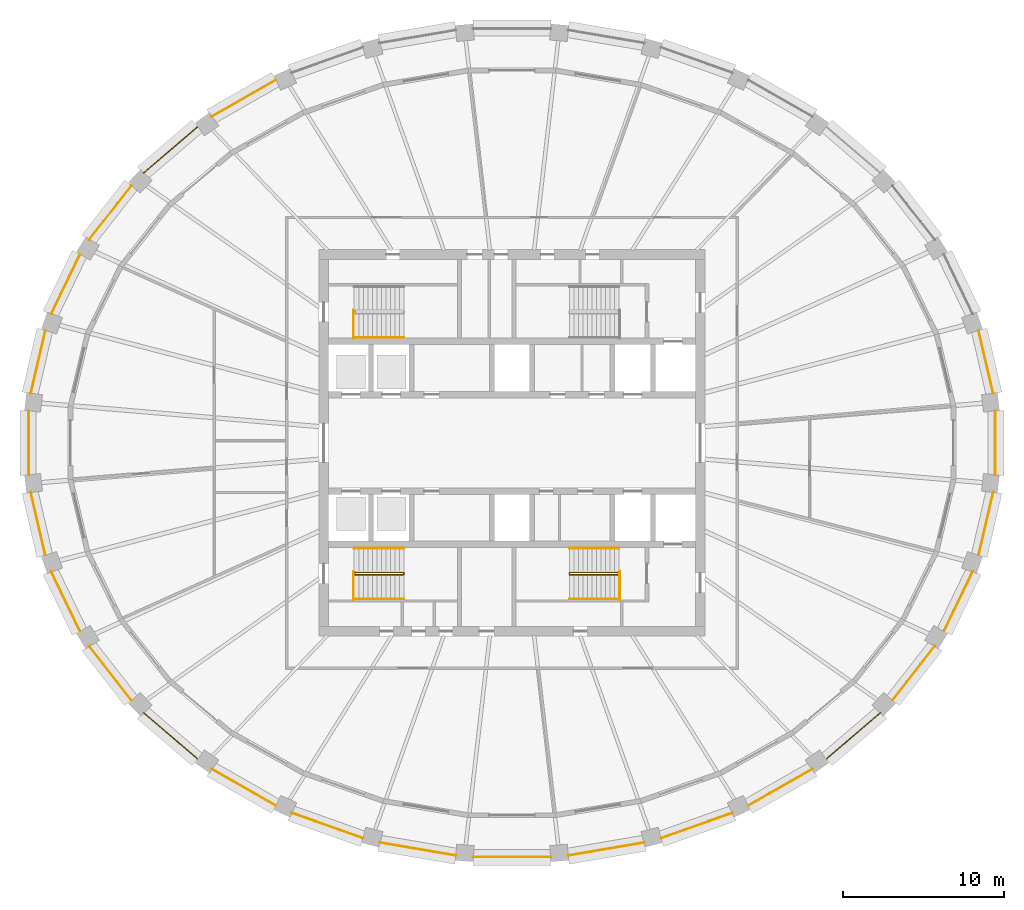
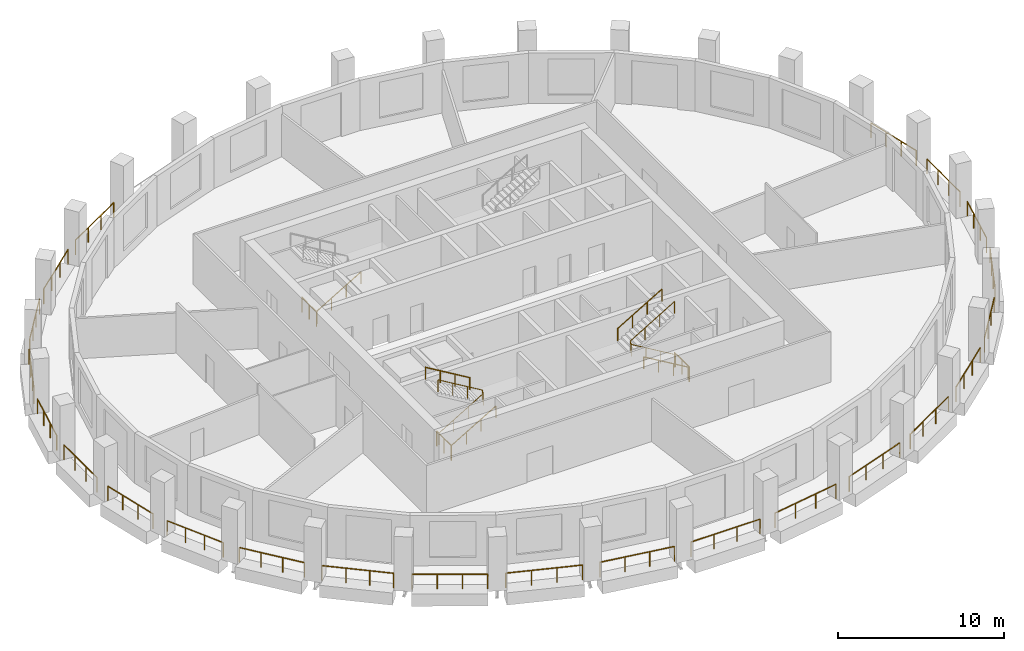
# One storey, part 8 of 10: 33 railings.
"""IFC4 building model written with IfcOpenShell, lengths in metres."""

import ifcopenshell
import ifcopenshell.guid

model = None  # the IFC model being written
_history = None  # IfcOwnerHistory: only IFC2X3 demands one
_inside = {}  # id of a spatial element -> (the spatial element, [elements in it])
_under = {}  # id of a project, library or spatial element -> (it, [spatial elements below it])
_declared = {}  # id of a project -> (the project, [libraries it declares])
_typed = {}  # id of a type object -> (the type object, [elements of that type])
_made_of = {}  # id of a material, layer set ... -> (it, [elements and type objects made of it])


def new_model(schema):
    """Start an empty IFC model of exactly this schema.

    Asked for "IFC4X3", IfcOpenShell would pick the latest addendum, in which some entities
    have other attributes; the version numbers below select the first issue.
    IFC2X3 requires an IfcOwnerHistory on every rooted entity: one is made here for all.
    """
    global model, _history
    if schema == "IFC4X3":
        model = ifcopenshell.file(schema_version=(4, 3, 0, 0))
    else:
        model = ifcopenshell.file(schema=schema)
    _inside.clear()
    _under.clear()
    _declared.clear()
    _typed.clear()
    _made_of.clear()
    _history = None
    if model.schema == "IFC2X3":
        org = make("IfcOrganization", Name="unknown")
        user = make(
            "IfcPersonAndOrganization",
            ThePerson=make("IfcPerson", FamilyName="unknown"),
            TheOrganization=org,
        )
        app = make(
            "IfcApplication",
            ApplicationDeveloper=org,
            Version="unknown",
            ApplicationFullName="unknown",
            ApplicationIdentifier="unknown",
        )
        _history = make(
            "IfcOwnerHistory",
            OwningUser=user,
            OwningApplication=app,
            ChangeAction="ADDED",
            CreationDate=0,
        )
    return model


def make(cls, **values):
    """One entity of the class cls with the attributes given. An attribute that is None is left unset."""
    return model.create_entity(
        cls, **{name: value for name, value in values.items() if value is not None}
    )


def rooted(cls, **values):
    """An entity with a GlobalId (a new one), such as an element, a storey or a relation."""
    return make(cls, GlobalId=ifcopenshell.guid.new(), OwnerHistory=_history, **values)


def si_unit(unit_type, name, prefix=None):
    """IfcSIUnit, for example si_unit("LENGTHUNIT", "METRE", prefix="MILLI")."""
    return make("IfcSIUnit", UnitType=unit_type, Prefix=prefix, Name=name)


def assignment(units):
    """IfcUnitAssignment: the units of a project."""
    return None if units is None else make("IfcUnitAssignment", Units=units)


def point(xyz):
    """IfcCartesianPoint."""
    return None if xyz is None else make("IfcCartesianPoint", Coordinates=xyz)


def direction(xyz):
    """IfcDirection."""
    return None if xyz is None else make("IfcDirection", DirectionRatios=xyz)


def frame(location, z_axis=None, x_axis=None):
    """IfcAxis2Placement3D, a coordinate frame: its origin and axes. An axis left out is left unset."""
    return make(
        "IfcAxis2Placement3D",
        Location=point(location),
        Axis=direction(z_axis),
        RefDirection=direction(x_axis),
    )


def frame_2d(location, x_axis=None):
    """IfcAxis2Placement2D, a coordinate frame in the plane: its origin and x axis."""
    return make(
        "IfcAxis2Placement2D", Location=point(location), RefDirection=direction(x_axis)
    )


def origin():
    """The frame at (0, 0, 0) with its axes left unset."""
    return frame((0.0, 0.0, 0.0))


def origin_2d():
    """The frame at (0, 0) in the plane with its x axis left unset."""
    return frame_2d((0.0, 0.0))


def place(relative_to, where):
    """IfcLocalPlacement: puts the frame where relative to a parent placement (None: the world)."""
    return make(
        "IfcLocalPlacement", PlacementRelTo=relative_to, RelativePlacement=where
    )


def context(
    kind, dimensions, precision=None, world=None, true_north=None, identifier=None
):
    """IfcGeometricRepresentationContext, for example the 3D "Model" context."""
    return make(
        "IfcGeometricRepresentationContext",
        ContextIdentifier=identifier,
        ContextType=kind,
        CoordinateSpaceDimension=dimensions,
        Precision=precision,
        WorldCoordinateSystem=world,
        TrueNorth=true_north,
    )


def subcontext(parent, identifier, kind, view, scale=None):
    """IfcGeometricRepresentationSubContext, for example "Body" below "Model"."""
    return make(
        "IfcGeometricRepresentationSubContext",
        ContextIdentifier=identifier,
        ContextType=kind,
        ParentContext=parent,
        TargetScale=scale,
        TargetView=view,
    )


def project(units=None, contexts=None):
    """IfcProject with its units and contexts."""
    return rooted(
        "IfcProject",
        Name="project",
        RepresentationContexts=contexts,
        UnitsInContext=assignment(units),
    )


def spatial(cls, under=None, at=None, **own):
    """A site, building, storey or space (cls), placed at a placement, below another one or the project."""
    s = rooted(cls, ObjectPlacement=at, **own)
    if under is not None:
        _under.setdefault(under.id(), (under, []))[1].append(s)
    return s


def profile(cls, at=None, kind="AREA", **sizes):
    """A parametric profile (cls). Its sizes go by their IFC names, for example OverallWidth=200.0."""
    return make(cls, ProfileType=kind, Position=at, **sizes)


def circle(**sizes):
    """IfcCircleProfileDef."""
    return profile("IfcCircleProfileDef", **sizes)


def extrude(swept, where, along, depth):
    """IfcExtrudedAreaSolid: the profile swept, set in the frame where, extruded along a direction by depth."""
    return make(
        "IfcExtrudedAreaSolid",
        SweptArea=swept,
        Position=where,
        ExtrudedDirection=direction(along),
        Depth=depth,
    )


def shape(context_of_items, identifier, shape_type, items):
    """IfcShapeRepresentation: the items that make up one representation, for example the "Body"."""
    return make(
        "IfcShapeRepresentation",
        ContextOfItems=context_of_items,
        RepresentationIdentifier=identifier,
        RepresentationType=shape_type,
        Items=items,
    )


def material(Name=None, Category=None):
    """IfcMaterial."""
    return make("IfcMaterial", Name=Name, Category=Category)


def made_of(thing, what):
    """Note that an element or type object is made of a material, layer set ...; save() writes the relation."""
    if what is not None:
        _made_of.setdefault(what.id(), (what, []))[1].append(thing)
    return thing


def type_object(cls, material=None, **own):
    """A type object (cls), such as IfcWallType, which elements share."""
    return made_of(rooted(cls, **own), material)


def element(
    cls,
    number,
    at=None,
    inside=None,
    cuts=None,
    type_object=None,
    material=None,
    context=None,
    identifier="Body",
    shape_type=None,
    held_by="IfcProductDefinitionShape",
    body=None,
    shapes=None,
    **own,
):
    """One element of the class cls, such as IfcWall. Its Tag is "e" and its number.

    at: its placement. inside: the storey or other place that contains it. cuts: it is an
    opening in that element (IfcRelVoidsElement). A single representation is given by context,
    identifier, shape_type and body (its items); several are given by shapes. held_by: the class
    of the entity that holds the representations. save() writes the other relations.
    """
    e = rooted(cls, Tag="e%d" % number, ObjectPlacement=at, **own)
    if body is not None:
        shapes = [shape(context, identifier, shape_type, body)]
    if shapes is not None:
        e.Representation = make(held_by, Representations=shapes)
    if inside is not None:
        _inside.setdefault(inside.id(), (inside, []))[1].append(e)
    if cuts is not None:
        rooted(
            "IfcRelVoidsElement", RelatingBuildingElement=cuts, RelatedOpeningElement=e
        )
    if type_object is not None:
        _typed.setdefault(type_object.id(), (type_object, []))[1].append(e)
    return made_of(e, material)


def aggregate(whole, parts):
    """IfcRelAggregates: a whole, such as a stair, and the parts it consists of."""
    return rooted("IfcRelAggregates", RelatingObject=whole, RelatedObjects=parts)


def save(model, path):
    """Write the relations noted so far, then the file.

    IfcRelAggregates (storeys below a building ...), IfcRelContainedInSpatialStructure (elements
    in a storey), IfcRelDefinesByType, IfcRelAssociatesMaterial and IfcRelDeclares: one each for
    every whole, place, type object, material and project.
    """
    for whole, parts in _under.values():
        aggregate(whole, parts)
    for where, things in _inside.values():
        rooted(
            "IfcRelContainedInSpatialStructure",
            RelatedElements=things,
            RelatingStructure=where,
        )
    for kind, things in _typed.values():
        rooted("IfcRelDefinesByType", RelatedObjects=things, RelatingType=kind)
    for what, things in _made_of.values():
        rooted("IfcRelAssociatesMaterial", RelatedObjects=things, RelatingMaterial=what)
    for by, libraries in _declared.values():
        rooted("IfcRelDeclares", RelatingContext=by, RelatedDefinitions=libraries)
    model.write(path)


model = new_model("IFC4")

# Units and contexts
model_context = context("Model", 3, precision=1e-05, world=origin(), true_north=direction((0.0, 1.0)))
body_context = subcontext(model_context, "Body", "Model", "MODEL_VIEW")
ifc_project = project(units=[si_unit("LENGTHUNIT", "METRE"), si_unit("AREAUNIT", "SQUARE_METRE"), si_unit("VOLUMEUNIT", "CUBIC_METRE"), si_unit("PLANEANGLEUNIT", "RADIAN"), si_unit("MASSUNIT", "GRAM", prefix="KILO")], contexts=[model_context])

# Site, building, storey
site_placement = place(None, origin())
site = spatial("IfcSite", under=ifc_project, at=site_placement, CompositionType="ELEMENT")
building_placement = place(site_placement, origin())
building = spatial("IfcBuilding", under=site, at=building_placement, Name="Halqa Exchange Tower", CompositionType="ELEMENT")
storey_placement = place(building_placement, frame((0.0, 0.0, 264.300048828125)))
storey = spatial("IfcBuildingStorey", under=building, at=storey_placement, Name="L61", CompositionType="ELEMENT", Elevation=264.300048828125)

# Railings
ifc_material = material(Name="Stainless steel", Category="steel")
railing_type_1 = type_object("IfcRailingType", Name="Guard 1100 stainless steel", PredefinedType="GUARDRAIL", material=ifc_material)
railing_1_placement = place(storey_placement, frame((29.893798828125, 3.06982421875, 0.0)))
element("IfcRailing", 1, at=railing_1_placement, inside=storey, type_object=railing_type_1, Name="Loggia guard 1", PredefinedType="GUARDRAIL", context=body_context, shape_type="SweptSolid", body=[
    extrude(circle(Radius=0.02392578125, at=origin_2d()), frame((0.0, 0.0, 1.076171875), z_axis=(-0.2260263655, 0.974121184504, 0.0), x_axis=(-0.974121184504, -0.2260263655, 0.0)), (0.0, 0.0, 1.0), 4.0029296875),
    extrude(circle(Radius=0.02099609375, at=origin_2d()), origin(), (0.0, 0.0, 1.0), 1.052001953125),
    extrude(circle(Radius=0.02099609375, at=origin_2d()), frame((-0.301513671875, 1.2998046875, 0.0)), (0.0, 0.0, 1.0), 1.052001953125),
    extrude(circle(Radius=0.02099609375, at=origin_2d()), frame((-0.603271484375, 2.599609375, 0.0)), (0.0, 0.0, 1.0), 1.052001953125),
    extrude(circle(Radius=0.02099609375, at=origin_2d()), frame((-0.90478515625, 3.8994140625, 0.0)), (0.0, 0.0, 1.0), 1.052001953125),
])
railing_2_placement = place(storey_placement, frame((-14.6962890625, 22.5283203125, 0.0)))
element("IfcRailing", 2, at=railing_2_placement, inside=storey, type_object=railing_type_1, Name="Loggia guard 11", PredefinedType="GUARDRAIL", context=body_context, shape_type="SweptSolid", body=[
    extrude(circle(Radius=0.02392578125, at=origin_2d()), frame((0.0, 0.0, 1.076171875), z_axis=(-0.867739238196, -0.497019732501, 0.0), x_axis=(0.497019732501, -0.867739238196, 0.0)), (0.0, 0.0, 1.0), 4.565673828125),
    extrude(circle(Radius=0.02099609375, at=origin_2d()), origin(), (0.0, 0.0, 1.0), 1.052001953125),
    extrude(circle(Radius=0.02099609375, at=origin_2d()), frame((-1.320556640625, -0.75634765625, 0.0)), (0.0, 0.0, 1.0), 1.052001953125),
    extrude(circle(Radius=0.02099609375, at=origin_2d()), frame((-2.641357421875, -1.512939453125, 0.0)), (0.0, 0.0, 1.0), 1.052001953125),
    extrude(circle(Radius=0.02099609375, at=origin_2d()), frame((-3.9619140625, -2.269287109375, 0.0)), (0.0, 0.0, 1.0), 1.052001953125),
])
railing_3_placement = place(storey_placement, frame((-19.552978515625, 19.627685546875, 0.0)))
element("IfcRailing", 3, at=railing_3_placement, inside=storey, type_object=railing_type_1, Name="Loggia guard 12", PredefinedType="GUARDRAIL", context=body_context, shape_type="SweptSolid", body=[
    extrude(circle(Radius=0.02392578125, at=origin_2d()), frame((0.0, 0.0, 1.076171875), z_axis=(-0.759283974787, -0.650759437605, 0.0), x_axis=(0.650759437605, -0.759283974787, 0.0)), (0.0, 0.0, 1.0), 4.406982421875),
    extrude(circle(Radius=0.02099609375, at=origin_2d()), origin(), (0.0, 0.0, 1.0), 1.052001953125),
    extrude(circle(Radius=0.02099609375, at=origin_2d()), frame((-1.115478515625, -0.9560546875, 0.0)), (0.0, 0.0, 1.0), 1.052001953125),
    extrude(circle(Radius=0.02099609375, at=origin_2d()), frame((-2.230712890625, -1.911865234375, 0.0)), (0.0, 0.0, 1.0), 1.052001953125),
    extrude(circle(Radius=0.02099609375, at=origin_2d()), frame((-3.34619140625, -2.867919921875, 0.0)), (0.0, 0.0, 1.0), 1.052001953125),
])
railing_4_placement = place(storey_placement, frame((-23.65478515625, 15.968017578125, 0.0)))
element("IfcRailing", 4, at=railing_4_placement, inside=storey, type_object=railing_type_1, Name="Loggia guard 13", PredefinedType="GUARDRAIL", context=body_context, shape_type="SweptSolid", body=[
    extrude(circle(Radius=0.02392578125, at=origin_2d()), frame((0.0, 0.0, 1.076171875), z_axis=(-0.614836461486, -0.788654630131, 0.0), x_axis=(0.788654630131, -0.614836461486, 0.0)), (0.0, 0.0, 1.0), 4.2431640625),
    extrude(circle(Radius=0.02099609375, at=origin_2d()), origin(), (0.0, 0.0, 1.0), 1.052001953125),
    extrude(circle(Radius=0.02099609375, at=origin_2d()), frame((-0.86962890625, -1.115478515625, 0.0)), (0.0, 0.0, 1.0), 1.052001953125),
    extrude(circle(Radius=0.02099609375, at=origin_2d()), frame((-1.7392578125, -2.23095703125, 0.0)), (0.0, 0.0, 1.0), 1.052001953125),
    extrude(circle(Radius=0.02099609375, at=origin_2d()), frame((-2.60888671875, -3.346435546875, 0.0)), (0.0, 0.0, 1.0), 1.052001953125),
])
railing_5_placement = place(storey_placement, frame((-26.841064453125, 11.6923828125, 0.0)))
element("IfcRailing", 5, at=railing_5_placement, inside=storey, type_object=railing_type_1, Name="Loggia guard 14", PredefinedType="GUARDRAIL", context=body_context, shape_type="SweptSolid", body=[
    extrude(circle(Radius=0.02392578125, at=origin_2d()), frame((0.0, 0.0, 1.076171875), z_axis=(-0.435098678417, -0.90038277418, 0.0), x_axis=(0.90038277418, -0.435098678417, 0.0)), (0.0, 0.0, 1.0), 4.1005859375),
    extrude(circle(Radius=0.02099609375, at=origin_2d()), origin(), (0.0, 0.0, 1.0), 1.052001953125),
    extrude(circle(Radius=0.02099609375, at=origin_2d()), frame((-0.5947265625, -1.230712890625, 0.0)), (0.0, 0.0, 1.0), 1.052001953125),
    extrude(circle(Radius=0.02099609375, at=origin_2d()), frame((-1.189453125, -2.46142578125, 0.0)), (0.0, 0.0, 1.0), 1.052001953125),
    extrude(circle(Radius=0.02099609375, at=origin_2d()), frame((-1.7841796875, -3.692138671875, 0.0)), (0.0, 0.0, 1.0), 1.052001953125),
])
railing_6_placement = place(storey_placement, frame((-28.989013671875, 6.96923828125, 0.0)))
element("IfcRailing", 6, at=railing_6_placement, inside=storey, type_object=railing_type_1, Name="Loggia guard 15", PredefinedType="GUARDRAIL", context=body_context, shape_type="SweptSolid", body=[
    extrude(circle(Radius=0.02392578125, at=origin_2d()), frame((0.0, 0.0, 1.076171875), z_axis=(-0.2260263655, -0.974121184504, 0.0), x_axis=(0.974121184504, -0.2260263655, 0.0)), (0.0, 0.0, 1.0), 4.0029296875),
    extrude(circle(Radius=0.02099609375, at=origin_2d()), origin(), (0.0, 0.0, 1.0), 1.052001953125),
    extrude(circle(Radius=0.02099609375, at=origin_2d()), frame((-0.301513671875, -1.2998046875, 0.0)), (0.0, 0.0, 1.0), 1.052001953125),
    extrude(circle(Radius=0.02099609375, at=origin_2d()), frame((-0.603271484375, -2.599609375, 0.0)), (0.0, 0.0, 1.0), 1.052001953125),
    extrude(circle(Radius=0.02099609375, at=origin_2d()), frame((-0.90478515625, -3.8994140625, 0.0)), (0.0, 0.0, 1.0), 1.052001953125),
])
railing_7_placement = place(storey_placement, frame((-30.018310546875, 1.984130859375, 0.0)))
element("IfcRailing", 7, at=railing_7_placement, inside=storey, type_object=railing_type_1, Name="Loggia guard 16", PredefinedType="GUARDRAIL", context=body_context, shape_type="SweptSolid", body=[
    extrude(circle(Radius=0.02392578125, at=origin_2d()), frame((0.0, 0.0, 1.076171875), z_axis=(0.0, -1.0, 0.0), x_axis=(1.0, 0.0, 0.0)), (0.0, 0.0, 1.0), 3.96826171875),
    extrude(circle(Radius=0.02099609375, at=origin_2d()), origin(), (0.0, 0.0, 1.0), 1.052001953125),
    extrude(circle(Radius=0.02099609375, at=origin_2d()), frame((0.0, -1.32275390625, 0.0)), (0.0, 0.0, 1.0), 1.052001953125),
    extrude(circle(Radius=0.02099609375, at=origin_2d()), frame((0.0, -2.6455078125, 0.0)), (0.0, 0.0, 1.0), 1.052001953125),
    extrude(circle(Radius=0.02099609375, at=origin_2d()), frame((0.0, -3.96826171875, 0.0)), (0.0, 0.0, 1.0), 1.052001953125),
])
railing_8_placement = place(storey_placement, frame((-29.893798828125, -3.06982421875, 0.0)))
element("IfcRailing", 8, at=railing_8_placement, inside=storey, type_object=railing_type_1, Name="Loggia guard 17", PredefinedType="GUARDRAIL", context=body_context, shape_type="SweptSolid", body=[
    extrude(circle(Radius=0.02392578125, at=origin_2d()), frame((0.0, 0.0, 1.076171875), z_axis=(0.2260263655, -0.974121184504, 0.0), x_axis=(0.974121184504, 0.2260263655, 0.0)), (0.0, 0.0, 1.0), 4.0029296875),
    extrude(circle(Radius=0.02099609375, at=origin_2d()), origin(), (0.0, 0.0, 1.0), 1.052001953125),
    extrude(circle(Radius=0.02099609375, at=origin_2d()), frame((0.301513671875, -1.2998046875, 0.0)), (0.0, 0.0, 1.0), 1.052001953125),
    extrude(circle(Radius=0.02099609375, at=origin_2d()), frame((0.603271484375, -2.599609375, 0.0)), (0.0, 0.0, 1.0), 1.052001953125),
    extrude(circle(Radius=0.02099609375, at=origin_2d()), frame((0.90478515625, -3.8994140625, 0.0)), (0.0, 0.0, 1.0), 1.052001953125),
])
railing_9_placement = place(storey_placement, frame((-28.625244140625, -8.000244140625, 0.0)))
element("IfcRailing", 9, at=railing_9_placement, inside=storey, type_object=railing_type_1, Name="Loggia guard 18", PredefinedType="GUARDRAIL", context=body_context, shape_type="SweptSolid", body=[
    extrude(circle(Radius=0.02392578125, at=origin_2d()), frame((0.0, 0.0, 1.076171875), z_axis=(0.435098678417, -0.90038277418, 0.0), x_axis=(0.90038277418, 0.435098678417, 0.0)), (0.0, 0.0, 1.0), 4.1005859375),
    extrude(circle(Radius=0.02099609375, at=origin_2d()), origin(), (0.0, 0.0, 1.0), 1.052001953125),
    extrude(circle(Radius=0.02099609375, at=origin_2d()), frame((0.5947265625, -1.230712890625, 0.0)), (0.0, 0.0, 1.0), 1.052001953125),
    extrude(circle(Radius=0.02099609375, at=origin_2d()), frame((1.189453125, -2.46142578125, 0.0)), (0.0, 0.0, 1.0), 1.052001953125),
    extrude(circle(Radius=0.02099609375, at=origin_2d()), frame((1.7841796875, -3.692138671875, 0.0)), (0.0, 0.0, 1.0), 1.052001953125),
])
railing_10_placement = place(storey_placement, frame((-26.263671875, -12.62158203125, 0.0)))
element("IfcRailing", 10, at=railing_10_placement, inside=storey, type_object=railing_type_1, Name="Loggia guard 19", PredefinedType="GUARDRAIL", context=body_context, shape_type="SweptSolid", body=[
    extrude(circle(Radius=0.02392578125, at=origin_2d()), frame((0.0, 0.0, 1.076171875), z_axis=(0.614836461486, -0.788654630131, 0.0), x_axis=(0.788654630131, 0.614836461486, 0.0)), (0.0, 0.0, 1.0), 4.2431640625),
    extrude(circle(Radius=0.02099609375, at=origin_2d()), origin(), (0.0, 0.0, 1.0), 1.052001953125),
    extrude(circle(Radius=0.02099609375, at=origin_2d()), frame((0.86962890625, -1.115478515625, 0.0)), (0.0, 0.0, 1.0), 1.052001953125),
    extrude(circle(Radius=0.02099609375, at=origin_2d()), frame((1.7392578125, -2.23095703125, 0.0)), (0.0, 0.0, 1.0), 1.052001953125),
    extrude(circle(Radius=0.02099609375, at=origin_2d()), frame((2.60888671875, -3.346435546875, 0.0)), (0.0, 0.0, 1.0), 1.052001953125),
])
railing_11_placement = place(storey_placement, frame((-22.899169921875, -16.759765625, 0.0)))
element("IfcRailing", 11, at=railing_11_placement, inside=storey, type_object=railing_type_1, Name="Loggia guard 20", PredefinedType="GUARDRAIL", context=body_context, shape_type="SweptSolid", body=[
    extrude(circle(Radius=0.02392578125, at=origin_2d()), frame((0.0, 0.0, 1.076171875), z_axis=(0.759283974787, -0.650759437605, 0.0), x_axis=(0.650759437605, 0.759283974787, 0.0)), (0.0, 0.0, 1.0), 4.406982421875),
    extrude(circle(Radius=0.02099609375, at=origin_2d()), origin(), (0.0, 0.0, 1.0), 1.052001953125),
    extrude(circle(Radius=0.02099609375, at=origin_2d()), frame((1.115478515625, -0.9560546875, 0.0)), (0.0, 0.0, 1.0), 1.052001953125),
    extrude(circle(Radius=0.02099609375, at=origin_2d()), frame((2.230712890625, -1.911865234375, 0.0)), (0.0, 0.0, 1.0), 1.052001953125),
    extrude(circle(Radius=0.02099609375, at=origin_2d()), frame((3.34619140625, -2.867919921875, 0.0)), (0.0, 0.0, 1.0), 1.052001953125),
])
railing_12_placement = place(storey_placement, frame((-18.658203125, -20.259033203125, 0.0)))
element("IfcRailing", 12, at=railing_12_placement, inside=storey, type_object=railing_type_1, Name="Loggia guard 21", PredefinedType="GUARDRAIL", context=body_context, shape_type="SweptSolid", body=[
    extrude(circle(Radius=0.02392578125, at=origin_2d()), frame((0.0, 0.0, 1.076171875), z_axis=(0.867739238196, -0.497019732501, 0.0), x_axis=(0.497019732501, 0.867739238196, 0.0)), (0.0, 0.0, 1.0), 4.565673828125),
    extrude(circle(Radius=0.02099609375, at=origin_2d()), origin(), (0.0, 0.0, 1.0), 1.052001953125),
    extrude(circle(Radius=0.02099609375, at=origin_2d()), frame((1.320556640625, -0.75634765625, 0.0)), (0.0, 0.0, 1.0), 1.052001953125),
    extrude(circle(Radius=0.02099609375, at=origin_2d()), frame((2.641357421875, -1.512939453125, 0.0)), (0.0, 0.0, 1.0), 1.052001953125),
    extrude(circle(Radius=0.02099609375, at=origin_2d()), frame((3.9619140625, -2.269287109375, 0.0)), (0.0, 0.0, 1.0), 1.052001953125),
])
railing_13_placement = place(storey_placement, frame((-13.70068359375, -22.985595703125, 0.0)))
element("IfcRailing", 13, at=railing_13_placement, inside=storey, type_object=railing_type_1, Name="Loggia guard 22", PredefinedType="GUARDRAIL", context=body_context, shape_type="SweptSolid", body=[
    extrude(circle(Radius=0.02392578125, at=origin_2d()), frame((0.0, 0.0, 1.076171875), z_axis=(0.942371721462, -0.334567689099, 0.0), x_axis=(0.334567689099, 0.942371721462, 0.0)), (0.0, 0.0, 1.0), 4.697265625),
    extrude(circle(Radius=0.02099609375, at=origin_2d()), origin(), (0.0, 0.0, 1.0), 1.052001953125),
    extrude(circle(Radius=0.02099609375, at=origin_2d()), frame((1.4755859375, -0.52392578125, 0.0)), (0.0, 0.0, 1.0), 1.052001953125),
    extrude(circle(Radius=0.02099609375, at=origin_2d()), frame((2.950927734375, -1.047607421875, 0.0)), (0.0, 0.0, 1.0), 1.052001953125),
    extrude(circle(Radius=0.02099609375, at=origin_2d()), frame((4.426513671875, -1.571533203125, 0.0)), (0.0, 0.0, 1.0), 1.052001953125),
])
railing_14_placement = place(storey_placement, frame((-8.2138671875, -24.83349609375, 0.0)))
element("IfcRailing", 14, at=railing_14_placement, inside=storey, type_object=railing_type_1, Name="Loggia guard 23", PredefinedType="GUARDRAIL", context=body_context, shape_type="SweptSolid", body=[
    extrude(circle(Radius=0.02392578125, at=origin_2d()), frame((0.0, 0.0, 1.076171875), z_axis=(0.985773163999, -0.168081138562, 0.0), x_axis=(0.168081138562, 0.985773163999, 0.0)), (0.0, 0.0, 1.0), 4.783203125),
    extrude(circle(Radius=0.02099609375, at=origin_2d()), origin(), (0.0, 0.0, 1.0), 1.052001953125),
    extrude(circle(Radius=0.02099609375, at=origin_2d()), frame((1.57177734375, -0.26806640625, 0.0)), (0.0, 0.0, 1.0), 1.052001953125),
    extrude(circle(Radius=0.02099609375, at=origin_2d()), frame((3.143310546875, -0.535888671875, 0.0)), (0.0, 0.0, 1.0), 1.052001953125),
    extrude(circle(Radius=0.02099609375, at=origin_2d()), frame((4.715087890625, -0.803955078125, 0.0)), (0.0, 0.0, 1.0), 1.052001953125),
])
railing_15_placement = place(storey_placement, frame((-2.406494140625, -25.72998046875, 0.0)))
element("IfcRailing", 15, at=railing_15_placement, inside=storey, type_object=railing_type_1, Name="Loggia guard 24", PredefinedType="GUARDRAIL", context=body_context, shape_type="SweptSolid", body=[
    extrude(circle(Radius=0.02392578125, at=origin_2d()), frame((0.0, 0.0, 1.076171875), z_axis=(1.0, 0.0, 0.0), x_axis=(0.0, 1.0, 0.0)), (0.0, 0.0, 1.0), 4.81298828125),
    extrude(circle(Radius=0.02099609375, at=origin_2d()), origin(), (0.0, 0.0, 1.0), 1.052001953125),
    extrude(circle(Radius=0.02099609375, at=origin_2d()), frame((1.604248046875, 0.0, 0.0)), (0.0, 0.0, 1.0), 1.052001953125),
    extrude(circle(Radius=0.02099609375, at=origin_2d()), frame((3.208740234375, 0.0, 0.0)), (0.0, 0.0, 1.0), 1.052001953125),
    extrude(circle(Radius=0.02099609375, at=origin_2d()), frame((4.81298828125, 0.0, 0.0)), (0.0, 0.0, 1.0), 1.052001953125),
])
railing_16_placement = place(storey_placement, frame((3.498779296875, -25.637451171875, 0.0)))
element("IfcRailing", 16, at=railing_16_placement, inside=storey, type_object=railing_type_1, Name="Loggia guard 25", PredefinedType="GUARDRAIL", context=body_context, shape_type="SweptSolid", body=[
    extrude(circle(Radius=0.02392578125, at=origin_2d()), frame((0.0, 0.0, 1.076171875), z_axis=(0.985773163999, 0.168081138562, 0.0), x_axis=(-0.168081138562, 0.985773163999, 0.0)), (0.0, 0.0, 1.0), 4.783203125),
    extrude(circle(Radius=0.02099609375, at=origin_2d()), origin(), (0.0, 0.0, 1.0), 1.052001953125),
    extrude(circle(Radius=0.02099609375, at=origin_2d()), frame((1.57177734375, 0.26806640625, 0.0)), (0.0, 0.0, 1.0), 1.052001953125),
    extrude(circle(Radius=0.02099609375, at=origin_2d()), frame((3.143310546875, 0.535888671875, 0.0)), (0.0, 0.0, 1.0), 1.052001953125),
    extrude(circle(Radius=0.02099609375, at=origin_2d()), frame((4.715087890625, 0.803955078125, 0.0)), (0.0, 0.0, 1.0), 1.052001953125),
])
railing_17_placement = place(storey_placement, frame((9.274169921875, -24.55712890625, 0.0)))
element("IfcRailing", 17, at=railing_17_placement, inside=storey, type_object=railing_type_1, Name="Loggia guard 26", PredefinedType="GUARDRAIL", context=body_context, shape_type="SweptSolid", body=[
    extrude(circle(Radius=0.02392578125, at=origin_2d()), frame((0.0, 0.0, 1.076171875), z_axis=(0.942371721462, 0.334567689099, 0.0), x_axis=(-0.334567689099, 0.942371721462, 0.0)), (0.0, 0.0, 1.0), 4.697265625),
    extrude(circle(Radius=0.02099609375, at=origin_2d()), origin(), (0.0, 0.0, 1.0), 1.052001953125),
    extrude(circle(Radius=0.02099609375, at=origin_2d()), frame((1.4755859375, 0.52392578125, 0.0)), (0.0, 0.0, 1.0), 1.052001953125),
    extrude(circle(Radius=0.02099609375, at=origin_2d()), frame((2.950927734375, 1.047607421875, 0.0)), (0.0, 0.0, 1.0), 1.052001953125),
    extrude(circle(Radius=0.02099609375, at=origin_2d()), frame((4.426513671875, 1.571533203125, 0.0)), (0.0, 0.0, 1.0), 1.052001953125),
])
railing_18_placement = place(storey_placement, frame((14.6962890625, -22.5283203125, 0.0)))
element("IfcRailing", 18, at=railing_18_placement, inside=storey, type_object=railing_type_1, Name="Loggia guard 27", PredefinedType="GUARDRAIL", context=body_context, shape_type="SweptSolid", body=[
    extrude(circle(Radius=0.02392578125, at=origin_2d()), frame((0.0, 0.0, 1.076171875), z_axis=(0.867739238196, 0.497019732501, 0.0), x_axis=(-0.497019732501, 0.867739238196, 0.0)), (0.0, 0.0, 1.0), 4.565673828125),
    extrude(circle(Radius=0.02099609375, at=origin_2d()), origin(), (0.0, 0.0, 1.0), 1.052001953125),
    extrude(circle(Radius=0.02099609375, at=origin_2d()), frame((1.320556640625, 0.75634765625, 0.0)), (0.0, 0.0, 1.0), 1.052001953125),
    extrude(circle(Radius=0.02099609375, at=origin_2d()), frame((2.641357421875, 1.512939453125, 0.0)), (0.0, 0.0, 1.0), 1.052001953125),
    extrude(circle(Radius=0.02099609375, at=origin_2d()), frame((3.9619140625, 2.269287109375, 0.0)), (0.0, 0.0, 1.0), 1.052001953125),
])
railing_19_placement = place(storey_placement, frame((19.552978515625, -19.627685546875, 0.0)))
element("IfcRailing", 19, at=railing_19_placement, inside=storey, type_object=railing_type_1, Name="Loggia guard 28", PredefinedType="GUARDRAIL", context=body_context, shape_type="SweptSolid", body=[
    extrude(circle(Radius=0.02392578125, at=origin_2d()), frame((0.0, 0.0, 1.076171875), z_axis=(0.759283974787, 0.650759437605, 0.0), x_axis=(-0.650759437605, 0.759283974787, 0.0)), (0.0, 0.0, 1.0), 4.406982421875),
    extrude(circle(Radius=0.02099609375, at=origin_2d()), origin(), (0.0, 0.0, 1.0), 1.052001953125),
    extrude(circle(Radius=0.02099609375, at=origin_2d()), frame((1.115478515625, 0.9560546875, 0.0)), (0.0, 0.0, 1.0), 1.052001953125),
    extrude(circle(Radius=0.02099609375, at=origin_2d()), frame((2.230712890625, 1.911865234375, 0.0)), (0.0, 0.0, 1.0), 1.052001953125),
    extrude(circle(Radius=0.02099609375, at=origin_2d()), frame((3.34619140625, 2.867919921875, 0.0)), (0.0, 0.0, 1.0), 1.052001953125),
])
railing_20_placement = place(storey_placement, frame((23.65478515625, -15.968017578125, 0.0)))
element("IfcRailing", 20, at=railing_20_placement, inside=storey, type_object=railing_type_1, Name="Loggia guard 29", PredefinedType="GUARDRAIL", context=body_context, shape_type="SweptSolid", body=[
    extrude(circle(Radius=0.02392578125, at=origin_2d()), frame((0.0, 0.0, 1.076171875), z_axis=(0.614836461486, 0.788654630131, 0.0), x_axis=(-0.788654630131, 0.614836461486, 0.0)), (0.0, 0.0, 1.0), 4.2431640625),
    extrude(circle(Radius=0.02099609375, at=origin_2d()), origin(), (0.0, 0.0, 1.0), 1.052001953125),
    extrude(circle(Radius=0.02099609375, at=origin_2d()), frame((0.86962890625, 1.115478515625, 0.0)), (0.0, 0.0, 1.0), 1.052001953125),
    extrude(circle(Radius=0.02099609375, at=origin_2d()), frame((1.7392578125, 2.23095703125, 0.0)), (0.0, 0.0, 1.0), 1.052001953125),
    extrude(circle(Radius=0.02099609375, at=origin_2d()), frame((2.60888671875, 3.346435546875, 0.0)), (0.0, 0.0, 1.0), 1.052001953125),
])
railing_21_placement = place(storey_placement, frame((26.841064453125, -11.6923828125, 0.0)))
element("IfcRailing", 21, at=railing_21_placement, inside=storey, type_object=railing_type_1, Name="Loggia guard 30", PredefinedType="GUARDRAIL", context=body_context, shape_type="SweptSolid", body=[
    extrude(circle(Radius=0.02392578125, at=origin_2d()), frame((0.0, 0.0, 1.076171875), z_axis=(0.435098678417, 0.90038277418, 0.0), x_axis=(-0.90038277418, 0.435098678417, 0.0)), (0.0, 0.0, 1.0), 4.1005859375),
    extrude(circle(Radius=0.02099609375, at=origin_2d()), origin(), (0.0, 0.0, 1.0), 1.052001953125),
    extrude(circle(Radius=0.02099609375, at=origin_2d()), frame((0.5947265625, 1.230712890625, 0.0)), (0.0, 0.0, 1.0), 1.052001953125),
    extrude(circle(Radius=0.02099609375, at=origin_2d()), frame((1.189453125, 2.46142578125, 0.0)), (0.0, 0.0, 1.0), 1.052001953125),
    extrude(circle(Radius=0.02099609375, at=origin_2d()), frame((1.7841796875, 3.692138671875, 0.0)), (0.0, 0.0, 1.0), 1.052001953125),
])
railing_22_placement = place(storey_placement, frame((28.989013671875, -6.96923828125, 0.0)))
element("IfcRailing", 22, at=railing_22_placement, inside=storey, type_object=railing_type_1, Name="Loggia guard 31", PredefinedType="GUARDRAIL", context=body_context, shape_type="SweptSolid", body=[
    extrude(circle(Radius=0.02392578125, at=origin_2d()), frame((0.0, 0.0, 1.076171875), z_axis=(0.2260263655, 0.974121184504, 0.0), x_axis=(-0.974121184504, 0.2260263655, 0.0)), (0.0, 0.0, 1.0), 4.0029296875),
    extrude(circle(Radius=0.02099609375, at=origin_2d()), origin(), (0.0, 0.0, 1.0), 1.052001953125),
    extrude(circle(Radius=0.02099609375, at=origin_2d()), frame((0.301513671875, 1.2998046875, 0.0)), (0.0, 0.0, 1.0), 1.052001953125),
    extrude(circle(Radius=0.02099609375, at=origin_2d()), frame((0.603271484375, 2.599609375, 0.0)), (0.0, 0.0, 1.0), 1.052001953125),
    extrude(circle(Radius=0.02099609375, at=origin_2d()), frame((0.90478515625, 3.8994140625, 0.0)), (0.0, 0.0, 1.0), 1.052001953125),
])
railing_23_placement = place(storey_placement, frame((30.018310546875, -1.984130859375, 0.0)))
element("IfcRailing", 23, at=railing_23_placement, inside=storey, type_object=railing_type_1, Name="Loggia guard 32", PredefinedType="GUARDRAIL", context=body_context, shape_type="SweptSolid", body=[
    extrude(circle(Radius=0.02392578125, at=origin_2d()), frame((0.0, 0.0, 1.076171875), z_axis=(0.0, 1.0, 0.0), x_axis=(-1.0, 0.0, 0.0)), (0.0, 0.0, 1.0), 3.96826171875),
    extrude(circle(Radius=0.02099609375, at=origin_2d()), origin(), (0.0, 0.0, 1.0), 1.052001953125),
    extrude(circle(Radius=0.02099609375, at=origin_2d()), frame((0.0, 1.32275390625, 0.0)), (0.0, 0.0, 1.0), 1.052001953125),
    extrude(circle(Radius=0.02099609375, at=origin_2d()), frame((0.0, 2.6455078125, 0.0)), (0.0, 0.0, 1.0), 1.052001953125),
    extrude(circle(Radius=0.02099609375, at=origin_2d()), frame((0.0, 3.96826171875, 0.0)), (0.0, 0.0, 1.0), 1.052001953125),
])
railing_type_2 = type_object("IfcRailingType", Name="Stair handrail 900", PredefinedType="HANDRAIL", material=ifc_material)
railing_24_placement = place(storey_placement, frame((-9.800048828125, 6.550048828125, 0.166748046875)))
element("IfcRailing", 24, at=railing_24_placement, inside=storey, type_object=railing_type_2, Name="Handrail ST1.2", PredefinedType="HANDRAIL", context=body_context, shape_type="SweptSolid", body=[
    extrude(circle(Radius=0.02392578125, at=origin_2d()), frame((0.0, 0.0, 0.8759765625), z_axis=(0.859308565015, 0.0, 0.511457515432), x_axis=(0.0, 1.0, 0.0)), (0.0, 0.0, 1.0), 3.58447265625),
    extrude(circle(Radius=0.02099609375, at=origin_2d()), origin(), (0.0, 0.0, 1.0), 0.851806640625),
    extrude(circle(Radius=0.02099609375, at=origin_2d()), frame((1.026611328125, 0.0, 0.611083984375)), (0.0, 0.0, 1.0), 0.851806640625),
    extrude(circle(Radius=0.02099609375, at=origin_2d()), frame((2.053466796875, 0.0, 1.22216796875)), (0.0, 0.0, 1.0), 0.851806640625),
    extrude(circle(Radius=0.02099609375, at=origin_2d()), frame((3.080078125, 0.0, 1.833251953125)), (0.0, 0.0, 1.0), 0.851806640625),
])
railing_25_placement = place(storey_placement, frame((-9.800048828125, -8.18994140625, 0.166748046875)))
element("IfcRailing", 25, at=railing_25_placement, inside=storey, type_object=railing_type_2, Name="Handrail ST3.1", PredefinedType="HANDRAIL", context=body_context, shape_type="SweptSolid", body=[
    extrude(circle(Radius=0.02392578125, at=origin_2d()), frame((0.0, 0.0, 0.8759765625), z_axis=(0.859308565015, 0.0, 0.511457515432), x_axis=(0.0, 1.0, 0.0)), (0.0, 0.0, 1.0), 3.58447265625),
    extrude(circle(Radius=0.02392578125, at=origin_2d()), frame((3.080078125, 0.0, 2.708984375), z_axis=(0.0, 0.614500226555, 0.788916644243), x_axis=(-1.0, 0.0, 0.0)), (0.0, 0.0, 1.0), 0.21142578125),
    extrude(circle(Radius=0.02392578125, at=origin_2d()), frame((3.080078125, 0.1298828125, 2.8759765625), z_axis=(-0.859308565015, 0.0, 0.511457515432), x_axis=(0.0, -1.0, 0.0)), (0.0, 0.0, 1.0), 3.58447265625),
    extrude(circle(Radius=0.02099609375, at=origin_2d()), origin(), (0.0, 0.0, 1.0), 0.851806640625),
    extrude(circle(Radius=0.02099609375, at=origin_2d()), frame((1.026611328125, 0.0, 0.611083984375)), (0.0, 0.0, 1.0), 0.851806640625),
    extrude(circle(Radius=0.02099609375, at=origin_2d()), frame((2.053466796875, 0.0, 1.22216796875)), (0.0, 0.0, 1.0), 0.851806640625),
    extrude(circle(Radius=0.02099609375, at=origin_2d()), frame((3.080078125, 0.0, 1.833251953125)), (0.0, 0.0, 1.0), 0.851806640625),
    extrude(circle(Radius=0.02099609375, at=origin_2d()), frame((3.080078125, 0.1298828125, 2.0)), (0.0, 0.0, 1.0), 0.851806640625),
    extrude(circle(Radius=0.02099609375, at=origin_2d()), frame((2.053466796875, 0.1298828125, 2.611083984375)), (0.0, 0.0, 1.0), 0.851806640625),
    extrude(circle(Radius=0.02099609375, at=origin_2d()), frame((1.026611328125, 0.1298828125, 3.22216796875)), (0.0, 0.0, 1.0), 0.851806640625),
    extrude(circle(Radius=0.02099609375, at=origin_2d()), frame((0.0, 0.1298828125, 3.833251953125)), (0.0, 0.0, 1.0), 0.851806640625),
])
railing_26_placement = place(storey_placement, frame((-9.800048828125, -9.699951171875, 0.166748046875)))
element("IfcRailing", 26, at=railing_26_placement, inside=storey, type_object=railing_type_2, Name="Handrail ST3.2", PredefinedType="HANDRAIL", context=body_context, shape_type="SweptSolid", body=[
    extrude(circle(Radius=0.02392578125, at=origin_2d()), frame((0.0, 0.0, 0.8759765625), z_axis=(0.859308565015, 0.0, 0.511457515432), x_axis=(0.0, 1.0, 0.0)), (0.0, 0.0, 1.0), 3.58447265625),
    extrude(circle(Radius=0.02099609375, at=origin_2d()), origin(), (0.0, 0.0, 1.0), 0.851806640625),
    extrude(circle(Radius=0.02099609375, at=origin_2d()), frame((1.026611328125, 0.0, 0.611083984375)), (0.0, 0.0, 1.0), 0.851806640625),
    extrude(circle(Radius=0.02099609375, at=origin_2d()), frame((2.053466796875, 0.0, 1.22216796875)), (0.0, 0.0, 1.0), 0.851806640625),
    extrude(circle(Radius=0.02099609375, at=origin_2d()), frame((3.080078125, 0.0, 1.833251953125)), (0.0, 0.0, 1.0), 0.851806640625),
])
railing_27_placement = place(storey_placement, frame((-6.719970703125, -6.550048828125, 2.166748046875)))
element("IfcRailing", 27, at=railing_27_placement, inside=storey, type_object=railing_type_2, Name="Handrail ST3.3", PredefinedType="HANDRAIL", context=body_context, shape_type="SweptSolid", body=[
    extrude(circle(Radius=0.02392578125, at=origin_2d()), frame((0.0, 0.0, 0.8759765625), z_axis=(-0.859308565015, 0.0, 0.511457515432), x_axis=(0.0, -1.0, 0.0)), (0.0, 0.0, 1.0), 3.58447265625),
    extrude(circle(Radius=0.02099609375, at=origin_2d()), origin(), (0.0, 0.0, 1.0), 0.851806640625),
    extrude(circle(Radius=0.02099609375, at=origin_2d()), frame((-1.026611328125, 0.0, 0.611083984375)), (0.0, 0.0, 1.0), 0.851806640625),
    extrude(circle(Radius=0.02099609375, at=origin_2d()), frame((-2.053466796875, 0.0, 1.22216796875)), (0.0, 0.0, 1.0), 0.851806640625),
    extrude(circle(Radius=0.02099609375, at=origin_2d()), frame((-3.080078125, 0.0, 1.833251953125)), (0.0, 0.0, 1.0), 0.851806640625),
])
railing_28_placement = place(storey_placement, frame((6.64990234375, -8.18994140625, 0.166748046875)))
element("IfcRailing", 28, at=railing_28_placement, inside=storey, type_object=railing_type_2, Name="Handrail ST4.1", PredefinedType="HANDRAIL", context=body_context, shape_type="SweptSolid", body=[
    extrude(circle(Radius=0.02392578125, at=origin_2d()), frame((0.0, 0.0, 0.8759765625), z_axis=(-0.859290745958, 0.0, 0.51148745235), x_axis=(0.0, -1.0, 0.0)), (0.0, 0.0, 1.0), 3.584228515625),
    extrude(circle(Radius=0.02392578125, at=origin_2d()), frame((-3.079833984375, 0.0, 2.708984375), z_axis=(0.0, 0.614500226555, 0.788916644243), x_axis=(-1.0, 0.0, 0.0)), (0.0, 0.0, 1.0), 0.21142578125),
    extrude(circle(Radius=0.02392578125, at=origin_2d()), frame((-3.079833984375, 0.1298828125, 2.8759765625), z_axis=(0.859290745958, 0.0, 0.51148745235), x_axis=(0.0, 1.0, 0.0)), (0.0, 0.0, 1.0), 3.584228515625),
    extrude(circle(Radius=0.02099609375, at=origin_2d()), origin(), (0.0, 0.0, 1.0), 0.851806640625),
    extrude(circle(Radius=0.02099609375, at=origin_2d()), frame((-1.026611328125, 0.0, 0.611083984375)), (0.0, 0.0, 1.0), 0.851806640625),
    extrude(circle(Radius=0.02099609375, at=origin_2d()), frame((-2.05322265625, 0.0, 1.22216796875)), (0.0, 0.0, 1.0), 0.851806640625),
    extrude(circle(Radius=0.02099609375, at=origin_2d()), frame((-3.079833984375, 0.0, 1.833251953125)), (0.0, 0.0, 1.0), 0.851806640625),
    extrude(circle(Radius=0.02099609375, at=origin_2d()), frame((-3.079833984375, 0.1298828125, 2.0)), (0.0, 0.0, 1.0), 0.851806640625),
    extrude(circle(Radius=0.02099609375, at=origin_2d()), frame((-2.05322265625, 0.1298828125, 2.611083984375)), (0.0, 0.0, 1.0), 0.851806640625),
    extrude(circle(Radius=0.02099609375, at=origin_2d()), frame((-1.026611328125, 0.1298828125, 3.22216796875)), (0.0, 0.0, 1.0), 0.851806640625),
    extrude(circle(Radius=0.02099609375, at=origin_2d()), frame((0.0, 0.1298828125, 3.833251953125)), (0.0, 0.0, 1.0), 0.851806640625),
])
railing_29_placement = place(storey_placement, frame((6.64990234375, -9.699951171875, 0.166748046875)))
element("IfcRailing", 29, at=railing_29_placement, inside=storey, type_object=railing_type_2, Name="Handrail ST4.2", PredefinedType="HANDRAIL", context=body_context, shape_type="SweptSolid", body=[
    extrude(circle(Radius=0.02392578125, at=origin_2d()), frame((0.0, 0.0, 0.8759765625), z_axis=(-0.859290745958, 0.0, 0.51148745235), x_axis=(0.0, -1.0, 0.0)), (0.0, 0.0, 1.0), 3.584228515625),
    extrude(circle(Radius=0.02099609375, at=origin_2d()), origin(), (0.0, 0.0, 1.0), 0.851806640625),
    extrude(circle(Radius=0.02099609375, at=origin_2d()), frame((-1.026611328125, 0.0, 0.611083984375)), (0.0, 0.0, 1.0), 0.851806640625),
    extrude(circle(Radius=0.02099609375, at=origin_2d()), frame((-2.05322265625, 0.0, 1.22216796875)), (0.0, 0.0, 1.0), 0.851806640625),
    extrude(circle(Radius=0.02099609375, at=origin_2d()), frame((-3.079833984375, 0.0, 1.833251953125)), (0.0, 0.0, 1.0), 0.851806640625),
])
railing_30_placement = place(storey_placement, frame((3.570068359375, -6.550048828125, 2.166748046875)))
element("IfcRailing", 30, at=railing_30_placement, inside=storey, type_object=railing_type_2, Name="Handrail ST4.3", PredefinedType="HANDRAIL", context=body_context, shape_type="SweptSolid", body=[
    extrude(circle(Radius=0.02392578125, at=origin_2d()), frame((0.0, 0.0, 0.8759765625), z_axis=(0.859290745958, 0.0, 0.51148745235), x_axis=(0.0, 1.0, 0.0)), (0.0, 0.0, 1.0), 3.584228515625),
    extrude(circle(Radius=0.02099609375, at=origin_2d()), origin(), (0.0, 0.0, 1.0), 0.851806640625),
    extrude(circle(Radius=0.02099609375, at=origin_2d()), frame((1.026611328125, 0.0, 0.611083984375)), (0.0, 0.0, 1.0), 0.851806640625),
    extrude(circle(Radius=0.02099609375, at=origin_2d()), frame((2.05322265625, 0.0, 1.22216796875)), (0.0, 0.0, 1.0), 0.851806640625),
    extrude(circle(Radius=0.02099609375, at=origin_2d()), frame((3.079833984375, 0.0, 1.833251953125)), (0.0, 0.0, 1.0), 0.851806640625),
])
railing_type_3 = type_object("IfcRailingType", Name="Stair well guard 1100", PredefinedType="GUARDRAIL", material=ifc_material)
for number, where, name in (
    (31, (-9.85009765625, 6.5, 0.0), "Guard ST1 well"),
    (32, (-9.85009765625, -9.75, 0.0), "Guard ST3 well"),
    (33, (6.699951171875, -9.75, 0.0), "Guard ST4 well"),
):
    element("IfcRailing", number, at=place(storey_placement, frame(where)), inside=storey, type_object=railing_type_3, Name=name, PredefinedType="GUARDRAIL", context=body_context, shape_type="SweptSolid", body=[
        extrude(circle(Radius=0.02392578125, at=origin_2d()), frame((0.0, 0.0, 1.076171875), z_axis=(0.0, 1.0, 0.0), x_axis=(-1.0, 0.0, 0.0)), (0.0, 0.0, 1.0), 1.75),
        extrude(circle(Radius=0.02099609375, at=origin_2d()), origin(), (0.0, 0.0, 1.0), 1.052001953125),
        extrude(circle(Radius=0.02099609375, at=origin_2d()), frame((0.0, 0.875, 0.0)), (0.0, 0.0, 1.0), 1.052001953125),
        extrude(circle(Radius=0.02099609375, at=origin_2d()), frame((0.0, 1.75, 0.0)), (0.0, 0.0, 1.0), 1.052001953125),
    ])

save(model, "model.ifc")
